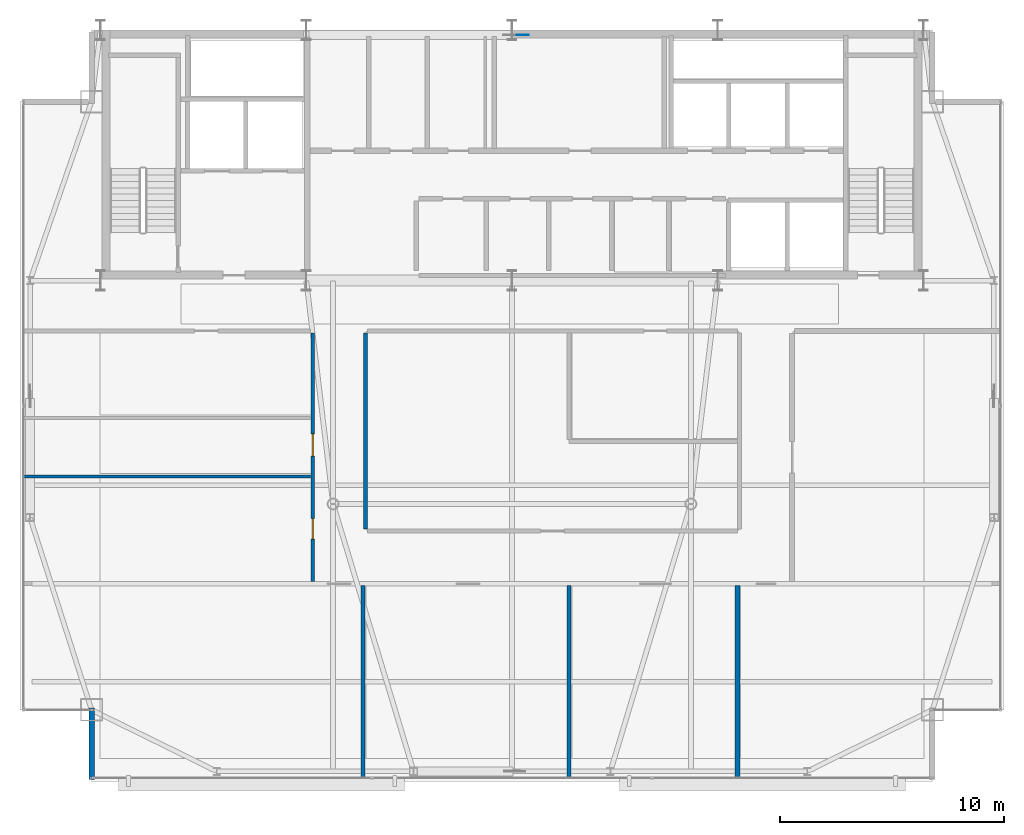
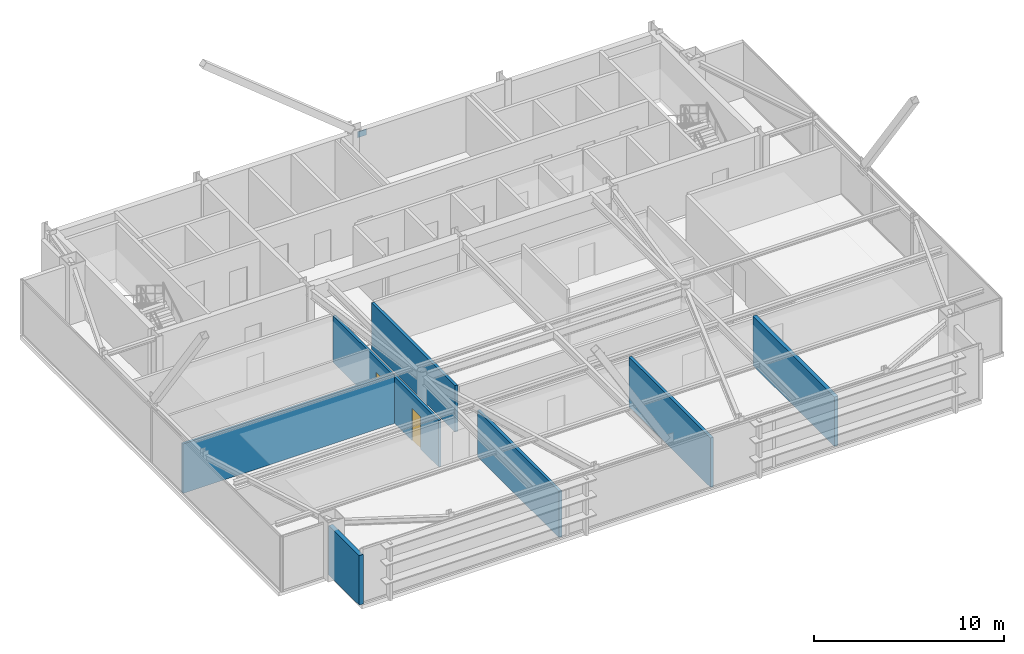
# One storey, part 20 of 24: 7 walls, 2 doors, 1 plate, 2 openings.
"""IFC4 building model written with IfcOpenShell, lengths in metres."""

from ifc_helpers import new_model, si_unit, direction, frame, frame_2d, origin, origin_2d, place, context, subcontext, project, spatial, rectangle, extrude, source, transform, mapped, material, layer, layer_set, type_object, type_shapes, element, fill, save


model = new_model("IFC4")

# Units and contexts
model_context = context("Model", 3, precision=1e-05, world=origin(), true_north=direction((0.0, 1.0)))
body_context = subcontext(model_context, "Body", "Model", "MODEL_VIEW")
ifc_project = project(units=[si_unit("LENGTHUNIT", "METRE"), si_unit("AREAUNIT", "SQUARE_METRE"), si_unit("VOLUMEUNIT", "CUBIC_METRE"), si_unit("PLANEANGLEUNIT", "RADIAN"), si_unit("MASSUNIT", "GRAM", prefix="KILO")], contexts=[model_context])

# Site, building, storey
site_placement = place(None, origin())
site = spatial("IfcSite", under=ifc_project, at=site_placement, CompositionType="ELEMENT")
building_placement = place(site_placement, origin())
building = spatial("IfcBuilding", under=site, at=building_placement, Name="Varnel Quay Broadcast Tower", CompositionType="ELEMENT")
storey_placement = place(building_placement, frame((0.0, 0.0, 262.199951171875)))
storey = spatial("IfcBuildingStorey", under=building, at=storey_placement, Name="L65", CompositionType="ELEMENT", Elevation=262.199951171875)

# Plate
ifc_material_1 = material(Name="Structural Steel CSA G40.21 350WT", Category="steel")
ifc_layer_1 = layer(ifc_material_1, 0.031982421875, Name="Structural Steel CSA G40.21 350WT")
ifc_layer_set_1 = layer_set([ifc_layer_1], Name="Structural Steel CSA G40.21 350WT")
plate_type = type_object("IfcPlateType", Name="Plate_EndCap", PredefinedType="USERDEFINED", material=ifc_layer_set_1)
shared_shape_1 = source(origin(), body_context, "Body", "SweptSolid", [
    extrude(rectangle(XDim=0.5400390625, YDim=0.031982421875, at=origin_2d()), origin(), (0.0, 0.0, 1.0), 0.3798828125),
])
type_shapes(plate_type, [shared_shape_1])
plate_placement = place(storey_placement, frame((34.475830078125, 46.580078125, 3.099609375), z_axis=(0.0, 0.0, 1.0), x_axis=(1.0, 0.0, 0.0)))
element("IfcPlate", 1, at=plate_placement, inside=storey, type_object=plate_type, Name="Zone 5 Mega-Brace N-CT1 Diag B1 End Connection Plate P1", ObjectType="CAP_PLATE", PredefinedType="USERDEFINED", context=body_context, shape_type="MappedRepresentation", body=[
    mapped(shared_shape_1, transform((0.0, 0.0, 0.0), x_axis=(1.0, 0.0, 0.0), y_axis=(0.0, 1.0, 0.0), z_axis=(0.0, 0.0, 1.0), scale=1.0)),
])

# Wall
ifc_material_2 = material(Name="Precast Architectural Concrete C40/50", Category="concrete")
ifc_layer_2 = layer(ifc_material_2, 0.25, Name="Precast Architectural Concrete C40/50")
ifc_layer_set_2 = layer_set([ifc_layer_2], Name="Precast Architectural Concrete C40/50")
wall_type_1 = type_object("IfcWallType", Name="Wall_ExtTerrace250", PredefinedType="SOLIDWALL", material=ifc_layer_set_2)
wall_1_placement = place(storey_placement, frame((15.199951171875, 13.280029296875, 0.0), z_axis=(0.0, 0.0, 1.0), x_axis=(0.0, 1.0, 0.0)))
element("IfcWall", 2, at=wall_1_placement, inside=storey, type_object=wall_type_1, Name="L65 Mega-Column Notch Cladding Wall NSW2", PredefinedType="SOLIDWALL", context=body_context, shape_type="SweptSolid", body=[
    extrude(rectangle(XDim=3.199951171875, YDim=0.25, at=frame_2d((1.60009765625, 0.0))), origin(), (0.0, 0.0, 1.0), 3.171142578125),
])

# Wall, openings, doors
ifc_material_3 = material(Name="Steel-Stud Fire-Rated Acoustic Gypsum Partition Assembly", Category="steel")
ifc_layer_3 = layer(ifc_material_3, 0.14990234375, Name="Steel-Stud Fire-Rated Acoustic Gypsum Partition Assembly")
ifc_layer_set_3 = layer_set([ifc_layer_3], Name="Steel-Stud Fire-Rated Acoustic Gypsum Partition Assembly")
wall_type_2 = type_object("IfcWallType", Name="Wall_Partition150", PredefinedType="PARTITIONING", material=ifc_layer_set_3)
wall_2_placement = place(storey_placement, frame((25.090087890625, 22.136962890625, 0.0), z_axis=(0.0, 0.0, 1.0), x_axis=(0.0, 1.0, 0.0)))
wall_2 = element("IfcWall", 3, at=wall_2_placement, inside=storey, type_object=wall_type_2, Name="L65 Bureau Office 5 Partition 12", PredefinedType="PARTITIONING", context=body_context, shape_type="SweptSolid", body=[
    extrude(rectangle(XDim=11.1259765625, YDim=0.14990234375, at=frame_2d((5.56298828125, 0.0))), origin(), (0.0, 0.0, 1.0), 2.98095703125),
])
opening_1_placement = place(wall_2_placement, frame((1.89794921875, 0.0, 0.0)))
opening_1 = element("IfcOpeningElement", 4, at=opening_1_placement, cuts=wall_2, Name="Opening D-L65-10", PredefinedType="OPENING", context=body_context, shape_type="SweptSolid", body=[
    extrude(rectangle(XDim=0.919921875, YDim=2.080078125, at=frame_2d((0.4599609375, 1.0400390625))), frame((0.0, 0.0849609375, 0.0), z_axis=(0.0, -1.0, 0.0), x_axis=(1.0, 0.0, 0.0)), (0.0, 0.0, 1.0), 0.169921875),
])
opening_2_placement = place(wall_2_placement, frame((5.60791015625, 0.0, 0.0)))
opening_2 = element("IfcOpeningElement", 5, at=opening_2_placement, cuts=wall_2, Name="Opening D-L65-11", PredefinedType="OPENING", context=body_context, shape_type="SweptSolid", body=[
    extrude(rectangle(XDim=1.0, YDim=2.10009765625, at=frame_2d((0.5, 1.050048828125))), frame((0.0, 0.0849609375, 0.0), z_axis=(0.0, -1.0, 0.0), x_axis=(1.0, 0.0, 0.0)), (0.0, 0.0, 1.0), 0.169921875),
])
ifc_material_4 = material(Name="Solid-Core Fire-Rated Acoustic Oak Veneer Door", Category="wood")
door_type_1 = type_object("IfcDoorType", Name="Door_Office920", OperationType="NOTDEFINED", PredefinedType="DOOR", material=ifc_material_4)
shared_shape_2 = source(origin(), body_context, "Body", "SweptSolid", [
    extrude(rectangle(XDim=0.919921875, YDim=2.080078125, at=frame_2d((0.4599609375, 1.0400390625))), frame((0.0, 0.02490234375, 0.0), z_axis=(0.0, -1.0, 0.0), x_axis=(1.0, 0.0, 0.0)), (0.0, 0.0, 1.0), 0.050048828125),
])
type_shapes(door_type_1, [shared_shape_2])
door_1_placement = place(opening_1_placement, origin())
door_1 = element("IfcDoor", 6, at=door_1_placement, inside=storey, type_object=door_type_1, Name="L65 Bureau Office 5 Door D-L65-10", OperationType="SINGLE_SWING_RIGHT", OverallHeight=2.080078125, OverallWidth=0.919921875, PredefinedType="DOOR", context=body_context, shape_type="MappedRepresentation", body=[
    mapped(shared_shape_2, transform((0.0, 0.0, 0.0), x_axis=(1.0, 0.0, 0.0), y_axis=(0.0, 1.0, 0.0), z_axis=(0.0, 0.0, 1.0), scale=1.0)),
])
fill(opening_1, door_1)
door_type_2 = type_object("IfcDoorType", Name="Door_Exec1000", OperationType="NOTDEFINED", PredefinedType="DOOR", material=ifc_material_4)
shared_shape_3 = source(origin(), body_context, "Body", "SweptSolid", [
    extrude(rectangle(XDim=1.0, YDim=2.10009765625, at=frame_2d((0.5, 1.050048828125))), frame((0.0, 0.02490234375, 0.0), z_axis=(0.0, -1.0, 0.0), x_axis=(1.0, 0.0, 0.0)), (0.0, 0.0, 1.0), 0.050048828125),
])
type_shapes(door_type_2, [shared_shape_3])
door_2_placement = place(opening_2_placement, origin())
door_2 = element("IfcDoor", 7, at=door_2_placement, inside=storey, type_object=door_type_2, Name="L65 Reading Lounge 6 Door D-L65-11", OperationType="SINGLE_SWING_LEFT", OverallHeight=2.10009765625, OverallWidth=1.0, PredefinedType="DOOR", context=body_context, shape_type="MappedRepresentation", body=[
    mapped(shared_shape_3, transform((0.0, 0.0, 0.0), x_axis=(1.0, 0.0, 0.0), y_axis=(0.0, 1.0, 0.0), z_axis=(0.0, 0.0, 1.0), scale=1.0)),
])
fill(opening_2, door_2)

# Walls
wall_3_placement = place(storey_placement, frame((12.179931640625, 26.840087890625, 0.0), z_axis=(0.0, 0.0, 1.0), x_axis=(1.0, 0.0, 0.0)))
element("IfcWall", 8, at=wall_3_placement, inside=storey, type_object=wall_type_2, Name="L65 Bureau Office 5 Partition 13", PredefinedType="PARTITIONING", context=body_context, shape_type="SweptSolid", body=[
    extrude(rectangle(XDim=12.81005859375, YDim=0.14990234375, at=frame_2d((6.405029296875, 0.0))), origin(), (0.0, 0.0, 1.0), 3.171142578125),
])
ifc_layer_4 = layer(ifc_material_3, 0.175048828125, Name="Steel-Stud Fire-Rated Acoustic Gypsum Partition Assembly")
ifc_layer_set_4 = layer_set([ifc_layer_4], Name="Steel-Stud Fire-Rated Acoustic Gypsum Partition Assembly")
wall_type_3 = type_object("IfcWallType", Name="Wall_Partition175", PredefinedType="PARTITIONING", material=ifc_layer_set_4)
wall_4_placement = place(storey_placement, frame((27.340087890625, 13.3798828125, 0.0), z_axis=(0.0, 0.0, 1.0), x_axis=(0.0, 1.0, 0.0)))
element("IfcWall", 9, at=wall_4_placement, inside=storey, type_object=wall_type_3, Name="L65 Press Briefing Room 1 Partition 8", PredefinedType="PARTITIONING", context=body_context, shape_type="SweptSolid", body=[
    extrude(rectangle(XDim=8.5830078125, YDim=0.175048828125, at=frame_2d((4.29150390625, 0.0))), origin(), (0.0, 0.0, 1.0), 2.98095703125),
])
wall_5_placement = place(storey_placement, frame((36.5400390625, 13.3798828125, 0.0), z_axis=(0.0, 0.0, 1.0), x_axis=(0.0, 1.0, 0.0)))
element("IfcWall", 10, at=wall_5_placement, inside=storey, type_object=wall_type_3, Name="L65 Editorial Huddle Room 2 Partition 10", PredefinedType="PARTITIONING", context=body_context, shape_type="SweptSolid", body=[
    extrude(rectangle(XDim=8.5830078125, YDim=0.175048828125, at=frame_2d((4.29150390625, 0.0))), origin(), (0.0, 0.0, 1.0), 3.171142578125),
])
wall_6_placement = place(storey_placement, frame((27.43994140625, 24.487060546875, 0.0), z_axis=(0.0, 0.0, 1.0), x_axis=(0.0, 1.0, 0.0)))
element("IfcWall", 11, at=wall_6_placement, inside=storey, type_object=wall_type_3, Name="L65 Editorial Huddle Room 8 Partition 21", PredefinedType="PARTITIONING", context=body_context, shape_type="SweptSolid", body=[
    extrude(rectangle(XDim=8.77587890625, YDim=0.175048828125, at=frame_2d((4.387939453125, 0.0))), origin(), (0.0, 0.0, 1.0), 2.98095703125),
])
ifc_layer_5 = layer(ifc_material_3, 0.22509765625, Name="Steel-Stud Fire-Rated Acoustic Gypsum Partition Assembly")
ifc_layer_set_5 = layer_set([ifc_layer_5], Name="Steel-Stud Fire-Rated Acoustic Gypsum Partition Assembly")
wall_type_4 = type_object("IfcWallType", Name="Wall_Partition225", PredefinedType="PARTITIONING", material=ifc_layer_set_5)
wall_7_placement = place(storey_placement, frame((44.080078125, 13.3798828125, 0.0), z_axis=(0.0, 0.0, 1.0), x_axis=(0.0, 1.0, 0.0)))
element("IfcWall", 12, at=wall_7_placement, inside=storey, type_object=wall_type_4, Name="L65 Journalism Training Studio 3 Partition 11", PredefinedType="PARTITIONING", context=body_context, shape_type="SweptSolid", body=[
    extrude(rectangle(XDim=8.5830078125, YDim=0.22509765625, at=frame_2d((4.29150390625, 0.0))), origin(), (0.0, 0.0, 1.0), 3.171142578125),
])

save(model, "model.ifc")
